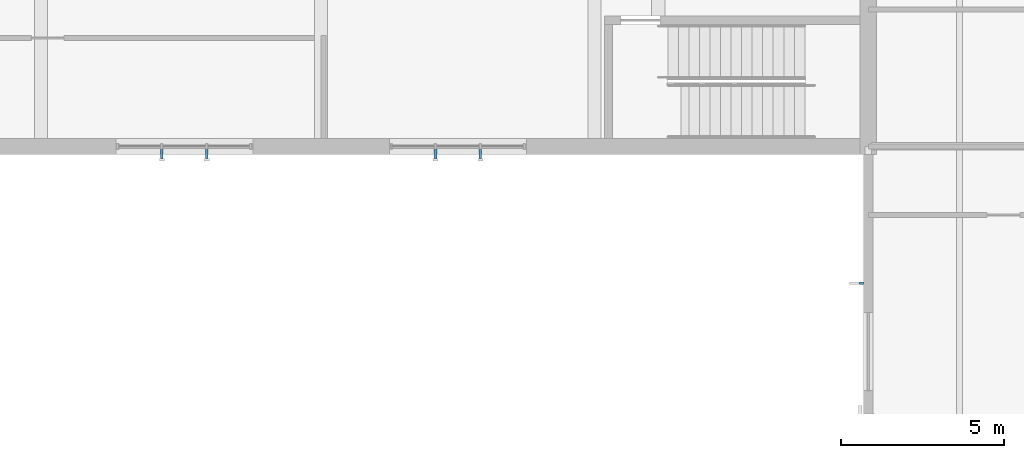
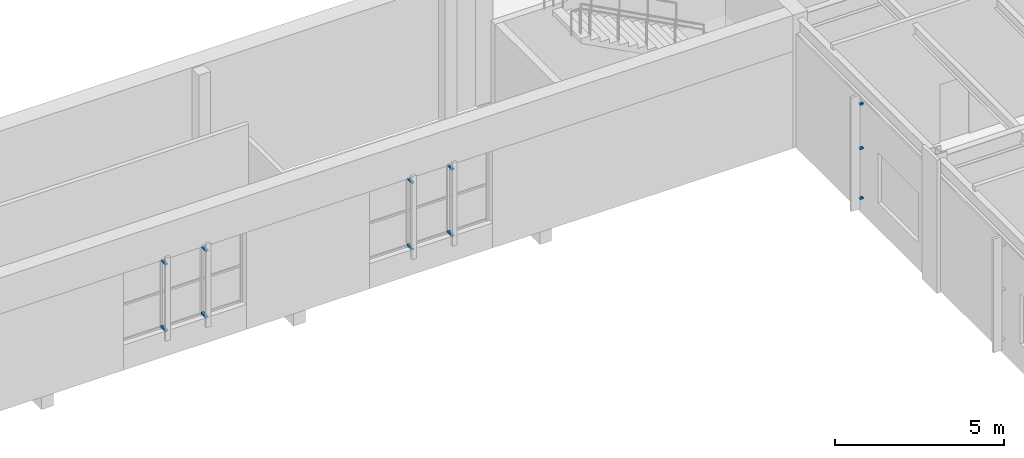
# One storey, part 95 of 127: 11 discrete accessories.
"""IFC4 building model written with IfcOpenShell, lengths in metres."""

from ifc_helpers import new_model, si_unit, direction, frame, origin, origin_2d, place, context, subcontext, project, spatial, rectangle, extrude, material, type_object, element, save


model = new_model("IFC4")

# Units and contexts
model_context = context("Model", 3, precision=1e-05, world=origin(), true_north=direction((0.0, 1.0)))
body_context = subcontext(model_context, "Body", "Model", "MODEL_VIEW")
ifc_project = project(units=[si_unit("LENGTHUNIT", "METRE"), si_unit("AREAUNIT", "SQUARE_METRE"), si_unit("VOLUMEUNIT", "CUBIC_METRE"), si_unit("PLANEANGLEUNIT", "RADIAN"), si_unit("MASSUNIT", "GRAM", prefix="KILO")], contexts=[model_context])

# Site, building, storey
site_placement = place(None, origin())
site = spatial("IfcSite", under=ifc_project, at=site_placement, CompositionType="ELEMENT")
building_placement = place(site_placement, origin())
building = spatial("IfcBuilding", under=site, at=building_placement, Name="Ljudholm Concert House", CompositionType="ELEMENT")
storey_placement = place(building_placement, frame((0.0, 0.0, 5.39990234375)))
storey = spatial("IfcBuildingStorey", under=building, at=storey_placement, Name="L01", CompositionType="ELEMENT", Elevation=5.39990234375)

# Discrete accessories
ifc_material_1 = material(Name="Stainless steel bracket", Category="steel")
discrete_accessory_type_1 = type_object("IfcDiscreteAccessoryType", Name="BRACKET 120", PredefinedType="BRACKET", material=ifc_material_1)
for number, where, z_axis, x_axis, name in (
    (1, (96.18994140625, 50.199951171875, 0.570068359375), (0.0, 0.0, 1.0), (-1.0, 0.0, 0.0), "Fin bracket"),
    (2, (96.18994140625, 50.199951171875, 2.3701171875), (0.0, 0.0, 1.0), (-1.0, 0.0, 0.0), "Fin bracket"),
    (3, (96.18994140625, 50.199951171875, 3.969970703125), (0.0, 0.0, 1.0), (-1.0, 0.0, 0.0), "Fin bracket"),
):
    element("IfcDiscreteAccessory", number, at=place(storey_placement, frame(where, z_axis=z_axis, x_axis=x_axis)), inside=storey, type_object=discrete_accessory_type_1, Name=name, PredefinedType="BRACKET", context=body_context, shape_type="SweptSolid", body=[
        extrude(rectangle(XDim=0.1201171875, YDim=0.080078125, at=origin_2d()), origin(), (0.0, 0.0, 1.0), 0.06005859375),
    ])
ifc_material_2 = material(Name="Stainless steel bracket", Category="steel")
discrete_accessory_type_2 = type_object("IfcDiscreteAccessoryType", Name="BRACKET 290", PredefinedType="BRACKET", material=ifc_material_2)
for number, where, z_axis, x_axis, name in (
    (4, (74.7099609375, 54.175048828125, 0.969970703125), (0.0, 0.0, 1.0), (0.0, -1.0, 0.0), "Fin bracket"),
    (5, (74.7099609375, 54.175048828125, 3.3701171875), (0.0, 0.0, 1.0), (0.0, -1.0, 0.0), "Fin bracket"),
    (6, (76.090087890625, 54.175048828125, 0.969970703125), (0.0, 0.0, 1.0), (0.0, -1.0, 0.0), "Fin bracket"),
    (7, (76.090087890625, 54.175048828125, 3.3701171875), (0.0, 0.0, 1.0), (0.0, -1.0, 0.0), "Fin bracket"),
    (8, (83.110107421875, 54.175048828125, 0.969970703125), (0.0, 0.0, 1.0), (0.0, -1.0, 0.0), "Fin bracket"),
    (9, (83.110107421875, 54.175048828125, 3.3701171875), (0.0, 0.0, 1.0), (0.0, -1.0, 0.0), "Fin bracket"),
    (10, (84.489990234375, 54.175048828125, 0.969970703125), (0.0, 0.0, 1.0), (0.0, -1.0, 0.0), "Fin bracket"),
    (11, (84.489990234375, 54.175048828125, 3.3701171875), (0.0, 0.0, 1.0), (0.0, -1.0, 0.0), "Fin bracket"),
):
    element("IfcDiscreteAccessory", number, at=place(storey_placement, frame(where, z_axis=z_axis, x_axis=x_axis)), inside=storey, type_object=discrete_accessory_type_2, Name=name, PredefinedType="BRACKET", context=body_context, shape_type="SweptSolid", body=[
        extrude(rectangle(XDim=0.2900390625, YDim=0.080078125, at=origin_2d()), origin(), (0.0, 0.0, 1.0), 0.06005859375),
    ])

save(model, "model.ifc")
